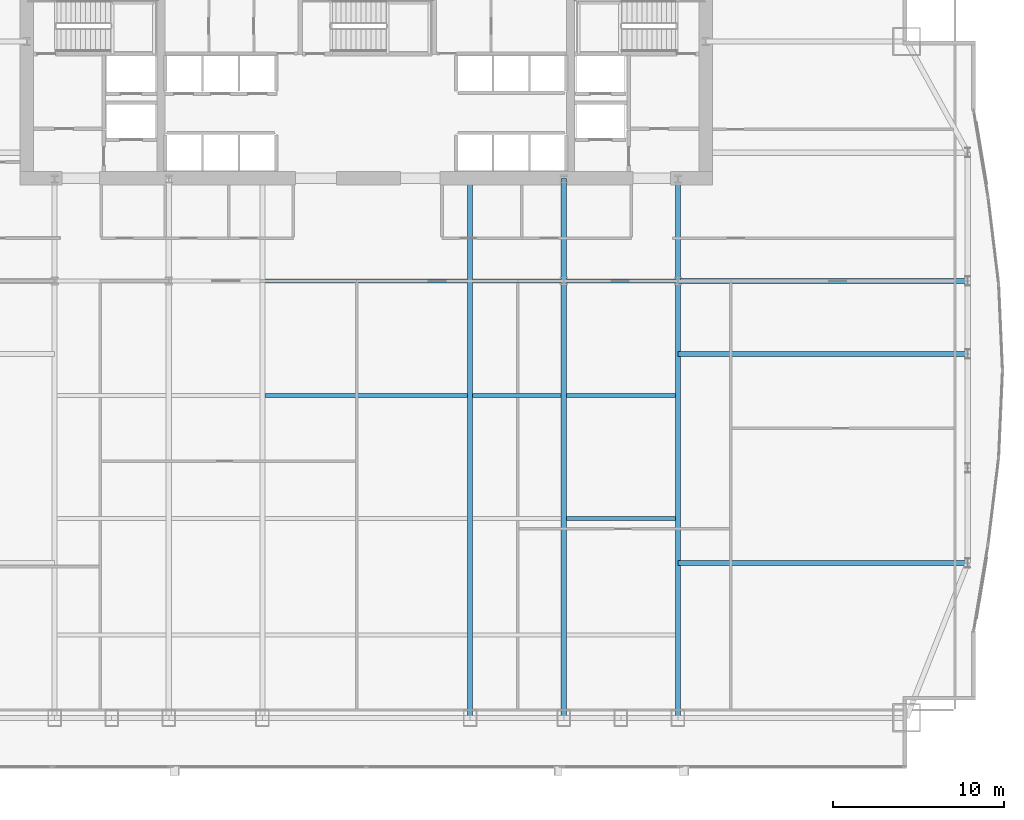
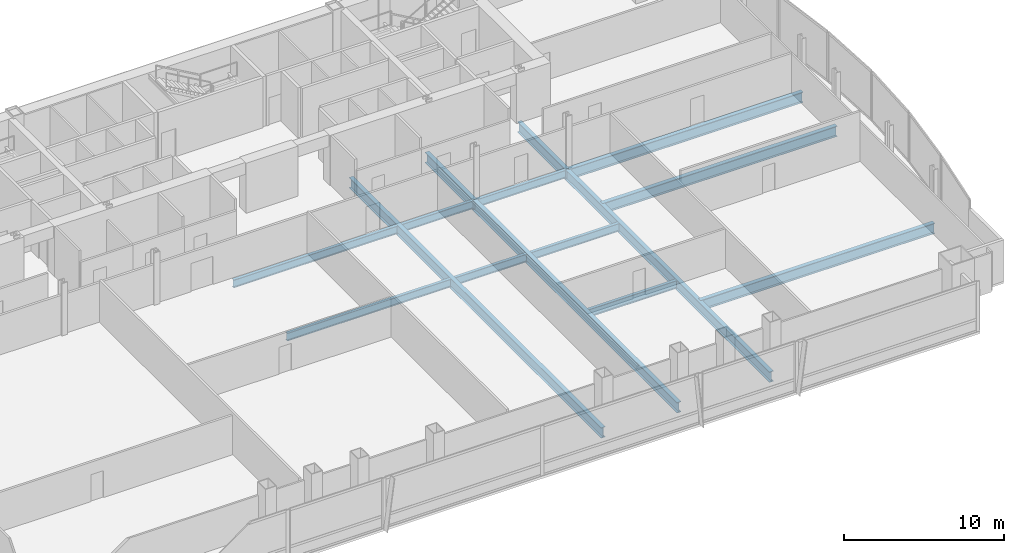
# One storey, part 15 of 32: 15 beams.
"""IFC4 building model written with IfcOpenShell, lengths in metres."""

from ifc_helpers import new_model, si_unit, direction, frame, origin, origin_2d, place, context, subcontext, project, spatial, i_section, extrude, material, material_profile, profile_set, type_object, element, save


model = new_model("IFC4")

# Units and contexts
model_context = context("Model", 3, precision=1e-05, world=origin(), true_north=direction((0.0, 1.0)))
body_context = subcontext(model_context, "Body", "Model", "MODEL_VIEW")
ifc_project = project(units=[si_unit("LENGTHUNIT", "METRE"), si_unit("AREAUNIT", "SQUARE_METRE"), si_unit("VOLUMEUNIT", "CUBIC_METRE"), si_unit("PLANEANGLEUNIT", "RADIAN"), si_unit("MASSUNIT", "GRAM", prefix="KILO")], contexts=[model_context])

# Site, building, storey
site_placement = place(None, origin())
site = spatial("IfcSite", under=ifc_project, at=site_placement, CompositionType="ELEMENT")
building_placement = place(site_placement, origin())
building = spatial("IfcBuilding", under=site, at=building_placement, Name="Khoronbel Lancet Exchange", CompositionType="ELEMENT")
storey_placement = place(building_placement, frame((0.0, 0.0, 41.800048828125)))
storey = spatial("IfcBuildingStorey", under=building, at=storey_placement, Name="L09", CompositionType="ELEMENT", Elevation=41.800048828125)

# Beams
ifc_material = material(Name="Steel S355", Category="steel")
ifc_material_profile_1 = material_profile(ifc_material, i_section(OverallWidth=0.300048828125, OverallDepth=0.800048828125, WebThickness=0.017578125, FlangeThickness=0.032958984375, at=origin_2d()), Name="HEB 800")
ifc_profile_set_1 = profile_set([ifc_material_profile_1], Name="Steel S355")
beam_type_1 = type_object("IfcBeamType", Name="BM-BG2", PredefinedType="BEAM", material=ifc_profile_set_1)
beam_1_placement = place(storey_placement, frame((42.52490234375, 10.14990234375, -0.580078125), z_axis=(0.0, 1.0, 0.0), x_axis=(-1.0, 0.0, 0.0)))
element("IfcBeam", 1, at=beam_1_placement, inside=storey, type_object=beam_type_1, Name="Level L09 primary floor girder G4", PredefinedType="BEAM", context=body_context, shape_type="SweptSolid", body=[
    extrude(i_section(OverallWidth=0.300048828125, OverallDepth=0.800048828125, WebThickness=0.017578125, FlangeThickness=0.032958984375, at=origin_2d()), origin(), (0.0, 0.0, 1.0), 31.550048828125),
])
beam_2_placement = place(storey_placement, frame((48.0, 10.14990234375, -0.580078125), z_axis=(0.0, 1.0, 0.0), x_axis=(-1.0, 0.0, 0.0)))
element("IfcBeam", 2, at=beam_2_placement, inside=storey, type_object=beam_type_1, Name="Level L09 south primary girder GS5", PredefinedType="BEAM", context=body_context, shape_type="SweptSolid", body=[
    extrude(i_section(OverallWidth=0.300048828125, OverallDepth=0.800048828125, WebThickness=0.017578125, FlangeThickness=0.032958984375, at=origin_2d()), origin(), (0.0, 0.0, 1.0), 25.550048828125),
])
beam_3_placement = place(storey_placement, frame((48.0, 35.699951171875, -0.580078125), z_axis=(0.0, 1.0, 0.0), x_axis=(-1.0, 0.0, 0.0)))
element("IfcBeam", 3, at=beam_3_placement, inside=storey, type_object=beam_type_1, Name="Level L09 spine tie girder GN5", PredefinedType="BEAM", context=body_context, shape_type="SweptSolid", body=[
    extrude(i_section(OverallWidth=0.300048828125, OverallDepth=0.800048828125, WebThickness=0.017578125, FlangeThickness=0.032958984375, at=origin_2d()), origin(), (0.0, 0.0, 1.0), 6.0),
])
beam_4_placement = place(storey_placement, frame((54.675048828125, 10.14990234375, -0.580078125), z_axis=(0.0, 1.0, 0.0), x_axis=(-1.0, 0.0, 0.0)))
element("IfcBeam", 4, at=beam_4_placement, inside=storey, type_object=beam_type_1, Name="Level L09 south primary girder GS6", PredefinedType="BEAM", context=body_context, shape_type="SweptSolid", body=[
    extrude(i_section(OverallWidth=0.300048828125, OverallDepth=0.800048828125, WebThickness=0.017578125, FlangeThickness=0.032958984375, at=origin_2d()), origin(), (0.0, 0.0, 1.0), 25.550048828125),
])
beam_5_placement = place(storey_placement, frame((54.675048828125, 35.699951171875, -0.580078125), z_axis=(0.0, 1.0, 0.0), x_axis=(-1.0, 0.0, 0.0)))
element("IfcBeam", 5, at=beam_5_placement, inside=storey, type_object=beam_type_1, Name="Level L09 spine tie girder GN6", PredefinedType="BEAM", context=body_context, shape_type="SweptSolid", body=[
    extrude(i_section(OverallWidth=0.300048828125, OverallDepth=0.800048828125, WebThickness=0.017578125, FlangeThickness=0.032958984375, at=origin_2d()), origin(), (0.0, 0.0, 1.0), 6.0),
])
for number, where, z_axis, x_axis, name in (
    (6, (54.675048828125, 19.199951171875, -0.580078125), (1.0, 0.0, 0.0), (0.0, 1.0, 0.0), "Level L09 east lens tie girder LG1E"),
    (7, (54.675048828125, 31.425048828125, -0.580078125), (1.0, 0.0, 0.0), (0.0, 1.0, 0.0), "Level L09 east lens tie girder LG2E"),
    (8, (54.675048828125, 35.699951171875, -0.580078125), (1.0, 0.0, 0.0), (0.0, 1.0, 0.0), "Level L09 east lens tie girder LG4E"),
):
    element("IfcBeam", number, at=place(storey_placement, frame(where, z_axis=z_axis, x_axis=x_axis)), inside=storey, type_object=beam_type_1, Name=name, PredefinedType="BEAM", context=body_context, shape_type="SweptSolid", body=[
        extrude(i_section(OverallWidth=0.300048828125, OverallDepth=0.800048828125, WebThickness=0.017578125, FlangeThickness=0.032958984375, at=origin_2d()), origin(), (0.0, 0.0, 1.0), 16.954833984375),
    ])
ifc_material_profile_2 = material_profile(ifc_material, i_section(OverallWidth=0.219970703125, OverallDepth=0.60009765625, WebThickness=0.011962890625, FlangeThickness=0.01904296875, at=origin_2d()), Name="IPE 600")
ifc_profile_set_2 = profile_set([ifc_material_profile_2], Name="Steel S355")
beam_type_2 = type_object("IfcBeamType", Name="BM-BJ1", PredefinedType="JOIST", material=ifc_profile_set_2)
beam_6_placement = place(storey_placement, frame((48.14990234375, 21.800048828125, -0.47998046875), z_axis=(1.0, 0.0, 0.0), x_axis=(0.0, 1.0, 0.0)))
element("IfcBeam", 9, at=beam_6_placement, inside=storey, type_object=beam_type_2, Name="Level L09 secondary composite joist J10", PredefinedType="JOIST", context=body_context, shape_type="SweptSolid", body=[
    extrude(i_section(OverallWidth=0.219970703125, OverallDepth=0.60009765625, WebThickness=0.011962890625, FlangeThickness=0.01904296875, at=origin_2d()), origin(), (0.0, 0.0, 1.0), 6.375),
])
beam_7_placement = place(storey_placement, frame((30.52490234375, 29.0, -0.47998046875), z_axis=(1.0, 0.0, 0.0), x_axis=(0.0, 1.0, 0.0)))
element("IfcBeam", 10, at=beam_7_placement, inside=storey, type_object=beam_type_2, Name="Level L09 secondary composite joist J13", PredefinedType="JOIST", context=body_context, shape_type="SweptSolid", body=[
    extrude(i_section(OverallWidth=0.219970703125, OverallDepth=0.60009765625, WebThickness=0.011962890625, FlangeThickness=0.01904296875, at=origin_2d()), origin(), (0.0, 0.0, 1.0), 11.85009765625),
])
beam_8_placement = place(storey_placement, frame((42.675048828125, 29.0, -0.47998046875), z_axis=(1.0, 0.0, 0.0), x_axis=(0.0, 1.0, 0.0)))
element("IfcBeam", 11, at=beam_8_placement, inside=storey, type_object=beam_type_2, Name="Level L09 secondary composite joist J14", PredefinedType="JOIST", context=body_context, shape_type="SweptSolid", body=[
    extrude(i_section(OverallWidth=0.219970703125, OverallDepth=0.60009765625, WebThickness=0.011962890625, FlangeThickness=0.01904296875, at=origin_2d()), origin(), (0.0, 0.0, 1.0), 5.175048828125),
])
beam_9_placement = place(storey_placement, frame((48.14990234375, 29.0, -0.47998046875), z_axis=(1.0, 0.0, 0.0), x_axis=(0.0, 1.0, 0.0)))
element("IfcBeam", 12, at=beam_9_placement, inside=storey, type_object=beam_type_2, Name="Level L09 secondary composite joist J15", PredefinedType="JOIST", context=body_context, shape_type="SweptSolid", body=[
    extrude(i_section(OverallWidth=0.219970703125, OverallDepth=0.60009765625, WebThickness=0.011962890625, FlangeThickness=0.01904296875, at=origin_2d()), origin(), (0.0, 0.0, 1.0), 6.375),
])
beam_10_placement = place(storey_placement, frame((30.52490234375, 35.699951171875, -0.47998046875), z_axis=(1.0, 0.0, 0.0), x_axis=(0.0, 1.0, 0.0)))
element("IfcBeam", 13, at=beam_10_placement, inside=storey, type_object=beam_type_2, Name="Level L09 secondary composite joist J18", PredefinedType="JOIST", context=body_context, shape_type="SweptSolid", body=[
    extrude(i_section(OverallWidth=0.219970703125, OverallDepth=0.60009765625, WebThickness=0.011962890625, FlangeThickness=0.01904296875, at=origin_2d()), origin(), (0.0, 0.0, 1.0), 11.85009765625),
])
beam_11_placement = place(storey_placement, frame((42.675048828125, 35.699951171875, -0.47998046875), z_axis=(1.0, 0.0, 0.0), x_axis=(0.0, 1.0, 0.0)))
element("IfcBeam", 14, at=beam_11_placement, inside=storey, type_object=beam_type_2, Name="Level L09 secondary composite joist J19", PredefinedType="JOIST", context=body_context, shape_type="SweptSolid", body=[
    extrude(i_section(OverallWidth=0.219970703125, OverallDepth=0.60009765625, WebThickness=0.011962890625, FlangeThickness=0.01904296875, at=origin_2d()), origin(), (0.0, 0.0, 1.0), 5.175048828125),
])
beam_12_placement = place(storey_placement, frame((48.14990234375, 35.699951171875, -0.47998046875), z_axis=(1.0, 0.0, 0.0), x_axis=(0.0, 1.0, 0.0)))
element("IfcBeam", 15, at=beam_12_placement, inside=storey, type_object=beam_type_2, Name="Level L09 secondary composite joist J20", PredefinedType="JOIST", context=body_context, shape_type="SweptSolid", body=[
    extrude(i_section(OverallWidth=0.219970703125, OverallDepth=0.60009765625, WebThickness=0.011962890625, FlangeThickness=0.01904296875, at=origin_2d()), origin(), (0.0, 0.0, 1.0), 6.375),
])

save(model, "model.ifc")
